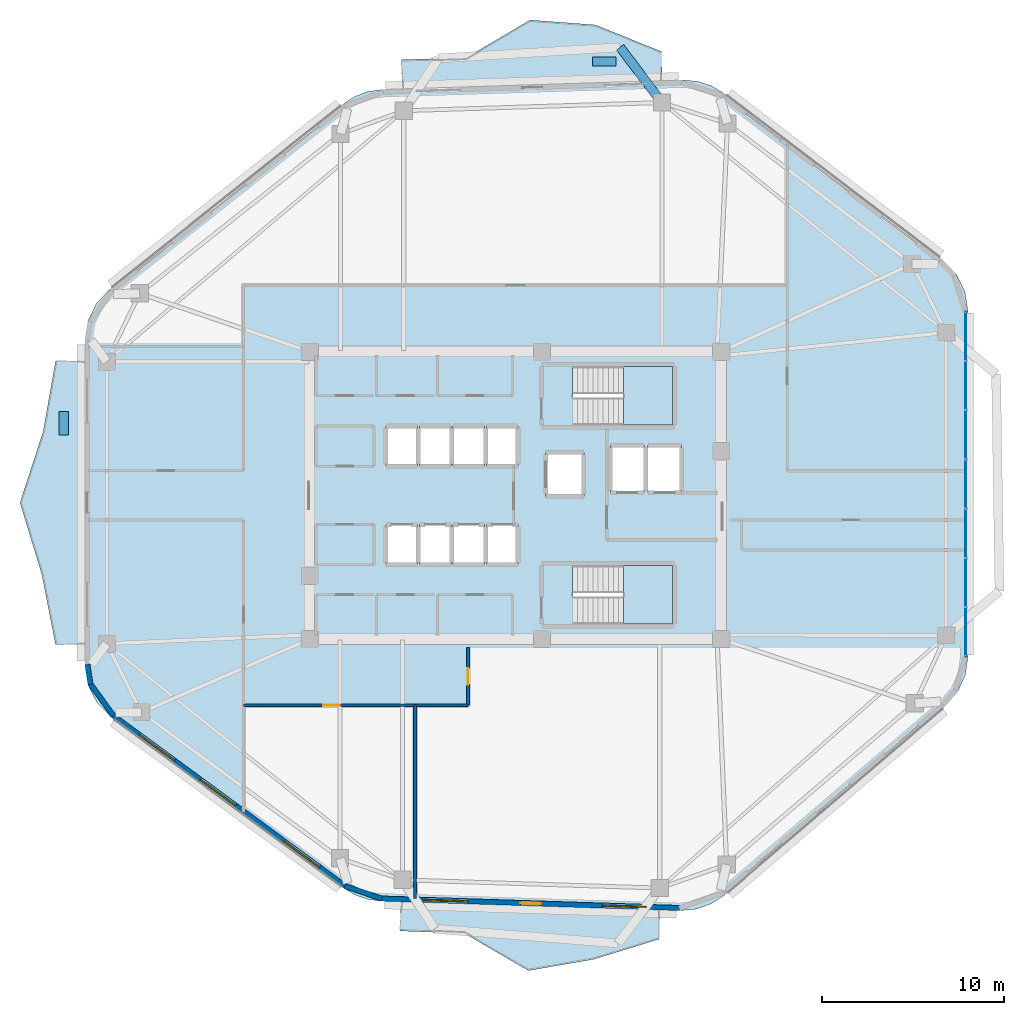
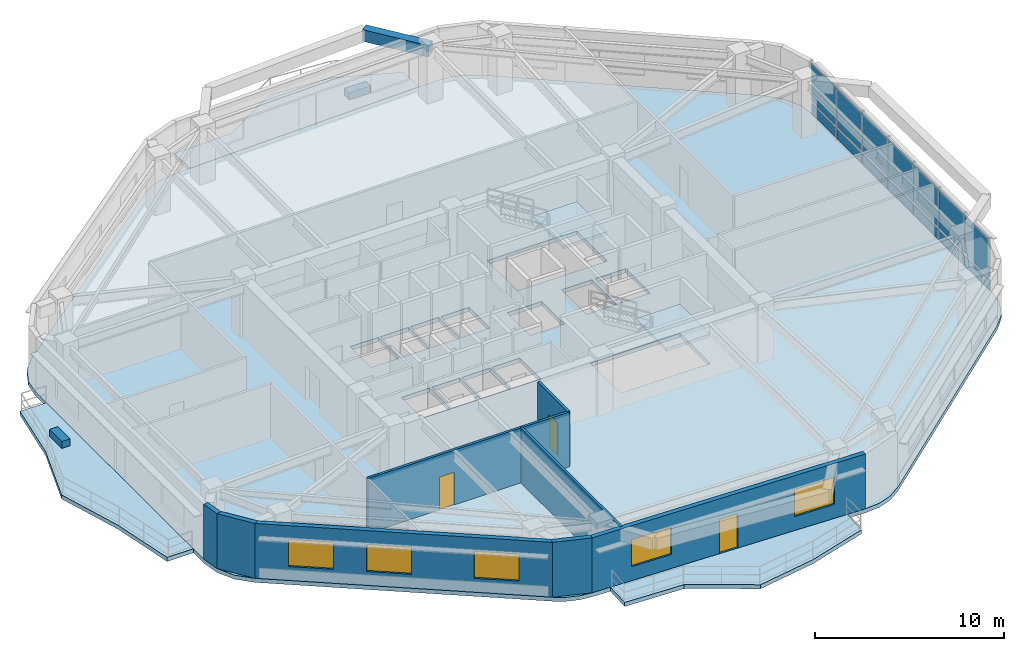
# One storey, part 7 of 14: 16 plates, 8 walls, 6 slabs, 5 windows, 3 doors, 1 beam, 8 openings, 3 elements without a shape of their own.
"""IFC4 building model written with IfcOpenShell, lengths in metres."""

from ifc_helpers import new_model, si_unit, direction, frame, frame_2d, origin, origin_2d, place, context, subcontext, project, spatial, polyline, rectangle, outline, extrude, material, layer, layer_set, material_profile, profile_set, type_object, element, fill, aggregate, save


model = new_model("IFC4")

# Units and contexts
model_context = context("Model", 3, precision=1e-05, world=origin(), true_north=direction((0.0, 1.0)))
body_context = subcontext(model_context, "Body", "Model", "MODEL_VIEW")
ifc_project = project(units=[si_unit("LENGTHUNIT", "METRE"), si_unit("AREAUNIT", "SQUARE_METRE"), si_unit("VOLUMEUNIT", "CUBIC_METRE"), si_unit("PLANEANGLEUNIT", "RADIAN"), si_unit("MASSUNIT", "GRAM", prefix="KILO")], contexts=[model_context])

# Site, building, storey
site_placement = place(None, origin())
site = spatial("IfcSite", under=ifc_project, at=site_placement, CompositionType="ELEMENT")
building_placement = place(site_placement, origin())
building = spatial("IfcBuilding", under=site, at=building_placement, Name="Zulverin Broadcast Headquarters", CompositionType="ELEMENT")
storey_placement = place(building_placement, frame((0.0, 0.0, 178.199951171875)))
storey = spatial("IfcBuildingStorey", under=building, at=storey_placement, Name="L45", CompositionType="ELEMENT", Elevation=178.199951171875)

# Beam
ifc_material_1 = material(Name="Concrete C40/50", Category="concrete")
ifc_material_profile = material_profile(ifc_material_1, rectangle(XDim=0.5, YDim=0.75, at=origin_2d()), Name="Concrete C40/50", Category="concrete")
ifc_profile_set = profile_set([ifc_material_profile], Name="Concrete C40/50")
beam_type = type_object("IfcBeamType", Name="BM-RC-500x750", PredefinedType="BEAM", material=ifc_profile_set)
beam_placement = place(storey_placement, frame((45.027587890625, 46.7236328125, 3.1650390625), z_axis=(-0.603735220489, 0.797184911762, 0.0), x_axis=(-0.797184911762, -0.603735220489, 0.0)))
element("IfcBeam", 1, at=beam_placement, inside=storey, type_object=beam_type, Name="L46 Balcony Column-Framed Cantilever BAL_N-1", PredefinedType="BEAM", context=body_context, shape_type="SweptSolid", body=[
    extrude(rectangle(XDim=0.5, YDim=0.75, at=origin_2d()), origin(), (0.0, 0.0, 1.0), 3.800048828125),
])

# Curtain wall, plates
ifc_material_2 = material(Name="Waist wind-pressure unitised curtain wall", Category="aluminium")
curtain_wall_type = type_object("IfcCurtainWallType", Name="CW-TWR-WST", PredefinedType="USERDEFINED", material=ifc_material_2)
curtain_wall_placement = place(storey_placement, origin())
curtain_wall = element("IfcCurtainWall", 2, at=curtain_wall_placement, inside=storey, type_object=curtain_wall_type, Name="L45 Unitised Curtain Wall CW-L45-E3", ObjectType="UNITISED CURTAIN WALL", PredefinedType="USERDEFINED")
ifc_material_3 = material(Name="Low-E double-glazed pale-silver vision glass", Category="glass")
ifc_layer_1 = layer(ifc_material_3, 0.035888671875, Name="Low-E double-glazed pale-silver vision glass", Category="glass")
ifc_layer_set_1 = layer_set([ifc_layer_1], Name="Low-E double-glazed pale-silver vision glass")
plate_type_1 = type_object("IfcPlateType", Name="CW-PNL-GLZ", PredefinedType="CURTAIN_PANEL", material=ifc_layer_set_1)
plate_1_placement = place(storey_placement, frame((61.679931640625, 17.719482421875, 0.914794921875), z_axis=(0.0, 0.0, 1.0), x_axis=(0.0, 1.0, 0.0)))
plate_1 = element("IfcPlate", 3, at=plate_1_placement, type_object=plate_type_1, Name="CW-L45-E3 Vision Panel 00", PredefinedType="CURTAIN_PANEL", context=body_context, shape_type="SweptSolid", body=[
    extrude(rectangle(XDim=2.660400390625, YDim=0.035888671875, at=origin_2d()), origin(), (0.0, 0.0, 1.0), 2.4853515625),
])
plate_2_placement = place(storey_placement, frame((61.679931640625, 20.419921875, 0.914794921875), z_axis=(0.0, 0.0, 1.0), x_axis=(0.0, 1.0, 0.0)))
plate_2 = element("IfcPlate", 4, at=plate_2_placement, type_object=plate_type_1, Name="CW-L45-E3 Vision Panel 01", PredefinedType="CURTAIN_PANEL", context=body_context, shape_type="SweptSolid", body=[
    extrude(rectangle(XDim=2.660400390625, YDim=0.035888671875, at=origin_2d()), origin(), (0.0, 0.0, 1.0), 2.4853515625),
])
plate_3_placement = place(storey_placement, frame((61.679931640625, 23.1201171875, 0.914794921875), z_axis=(0.0, 0.0, 1.0), x_axis=(0.0, 1.0, 0.0)))
plate_3 = element("IfcPlate", 5, at=plate_3_placement, type_object=plate_type_1, Name="CW-L45-E3 Vision Panel 02", PredefinedType="CURTAIN_PANEL", context=body_context, shape_type="SweptSolid", body=[
    extrude(rectangle(XDim=2.660400390625, YDim=0.035888671875, at=origin_2d()), origin(), (0.0, 0.0, 1.0), 2.4853515625),
])
plate_4_placement = place(storey_placement, frame((61.679931640625, 25.8203125, 0.914794921875), z_axis=(0.0, 0.0, 1.0), x_axis=(0.0, 1.0, 0.0)))
plate_4 = element("IfcPlate", 6, at=plate_4_placement, type_object=plate_type_1, Name="CW-L45-E3 Vision Panel 03", PredefinedType="CURTAIN_PANEL", context=body_context, shape_type="SweptSolid", body=[
    extrude(rectangle(XDim=2.660400390625, YDim=0.035888671875, at=origin_2d()), origin(), (0.0, 0.0, 1.0), 2.4853515625),
])
plate_5_placement = place(storey_placement, frame((61.679931640625, 28.520751953125, 0.914794921875), z_axis=(0.0, 0.0, 1.0), x_axis=(0.0, 1.0, 0.0)))
plate_5 = element("IfcPlate", 7, at=plate_5_placement, type_object=plate_type_1, Name="CW-L45-E3 Vision Panel 04", PredefinedType="CURTAIN_PANEL", context=body_context, shape_type="SweptSolid", body=[
    extrude(rectangle(XDim=2.660400390625, YDim=0.035888671875, at=origin_2d()), origin(), (0.0, 0.0, 1.0), 2.4853515625),
])
plate_6_placement = place(storey_placement, frame((61.679931640625, 31.220947265625, 0.914794921875), z_axis=(0.0, 0.0, 1.0), x_axis=(0.0, 1.0, 0.0)))
plate_6 = element("IfcPlate", 8, at=plate_6_placement, type_object=plate_type_1, Name="CW-L45-E3 Vision Panel 05", PredefinedType="CURTAIN_PANEL", context=body_context, shape_type="SweptSolid", body=[
    extrude(rectangle(XDim=2.660400390625, YDim=0.035888671875, at=origin_2d()), origin(), (0.0, 0.0, 1.0), 2.4853515625),
])
plate_7_placement = place(storey_placement, frame((61.679931640625, 33.92138671875, 0.914794921875), z_axis=(0.0, 0.0, 1.0), x_axis=(0.0, 1.0, 0.0)))
plate_7 = element("IfcPlate", 9, at=plate_7_placement, type_object=plate_type_1, Name="CW-L45-E3 Vision Panel 06", PredefinedType="CURTAIN_PANEL", context=body_context, shape_type="SweptSolid", body=[
    extrude(rectangle(XDim=2.660400390625, YDim=0.035888671875, at=origin_2d()), origin(), (0.0, 0.0, 1.0), 2.4853515625),
])
ifc_material_4 = material(Name="Insulated brushed pale-aluminium spandrel cassette", Category="aluminium")
ifc_layer_2 = layer(ifc_material_4, 0.050048828125, Name="Insulated brushed pale-aluminium spandrel cassette", Category="aluminium")
ifc_layer_set_2 = layer_set([ifc_layer_2], Name="Insulated brushed pale-aluminium spandrel cassette")
plate_type_2 = type_object("IfcPlateType", Name="CW-PNL-SPN", PredefinedType="CURTAIN_PANEL", material=ifc_layer_set_2)
plate_8_placement = place(storey_placement, frame((61.679931640625, 17.719482421875, 0.14013671875), z_axis=(0.0, 0.0, 1.0), x_axis=(0.0, 1.0, 0.0)))
plate_8 = element("IfcPlate", 10, at=plate_8_placement, type_object=plate_type_2, Name="CW-L45-E3 Spandrel Cassette 00", PredefinedType="CURTAIN_PANEL", context=body_context, shape_type="SweptSolid", body=[
    extrude(rectangle(XDim=2.660400390625, YDim=0.050048828125, at=origin_2d()), origin(), (0.0, 0.0, 1.0), 0.64453125),
])
plate_9_placement = place(storey_placement, frame((61.679931640625, 20.419921875, 0.14013671875), z_axis=(0.0, 0.0, 1.0), x_axis=(0.0, 1.0, 0.0)))
plate_9 = element("IfcPlate", 11, at=plate_9_placement, type_object=plate_type_2, Name="CW-L45-E3 Spandrel Cassette 01", PredefinedType="CURTAIN_PANEL", context=body_context, shape_type="SweptSolid", body=[
    extrude(rectangle(XDim=2.660400390625, YDim=0.050048828125, at=origin_2d()), origin(), (0.0, 0.0, 1.0), 0.64453125),
])
plate_10_placement = place(storey_placement, frame((61.679931640625, 23.1201171875, 0.14013671875), z_axis=(0.0, 0.0, 1.0), x_axis=(0.0, 1.0, 0.0)))
plate_10 = element("IfcPlate", 12, at=plate_10_placement, type_object=plate_type_2, Name="CW-L45-E3 Spandrel Cassette 02", PredefinedType="CURTAIN_PANEL", context=body_context, shape_type="SweptSolid", body=[
    extrude(rectangle(XDim=2.660400390625, YDim=0.050048828125, at=origin_2d()), origin(), (0.0, 0.0, 1.0), 0.64453125),
])
plate_11_placement = place(storey_placement, frame((61.679931640625, 25.8203125, 0.14013671875), z_axis=(0.0, 0.0, 1.0), x_axis=(0.0, 1.0, 0.0)))
plate_11 = element("IfcPlate", 13, at=plate_11_placement, type_object=plate_type_2, Name="CW-L45-E3 Spandrel Cassette 03", PredefinedType="CURTAIN_PANEL", context=body_context, shape_type="SweptSolid", body=[
    extrude(rectangle(XDim=2.660400390625, YDim=0.050048828125, at=origin_2d()), origin(), (0.0, 0.0, 1.0), 0.64453125),
])
plate_12_placement = place(storey_placement, frame((61.679931640625, 28.520751953125, 0.14013671875), z_axis=(0.0, 0.0, 1.0), x_axis=(0.0, 1.0, 0.0)))
plate_12 = element("IfcPlate", 14, at=plate_12_placement, type_object=plate_type_2, Name="CW-L45-E3 Spandrel Cassette 04", PredefinedType="CURTAIN_PANEL", context=body_context, shape_type="SweptSolid", body=[
    extrude(rectangle(XDim=2.660400390625, YDim=0.050048828125, at=origin_2d()), origin(), (0.0, 0.0, 1.0), 0.64453125),
])
plate_13_placement = place(storey_placement, frame((61.679931640625, 31.220947265625, 0.14013671875), z_axis=(0.0, 0.0, 1.0), x_axis=(0.0, 1.0, 0.0)))
plate_13 = element("IfcPlate", 15, at=plate_13_placement, type_object=plate_type_2, Name="CW-L45-E3 Spandrel Cassette 05", PredefinedType="CURTAIN_PANEL", context=body_context, shape_type="SweptSolid", body=[
    extrude(rectangle(XDim=2.660400390625, YDim=0.050048828125, at=origin_2d()), origin(), (0.0, 0.0, 1.0), 0.64453125),
])
plate_14_placement = place(storey_placement, frame((61.679931640625, 33.92138671875, 0.14013671875), z_axis=(0.0, 0.0, 1.0), x_axis=(0.0, 1.0, 0.0)))
plate_14 = element("IfcPlate", 16, at=plate_14_placement, type_object=plate_type_2, Name="CW-L45-E3 Spandrel Cassette 06", PredefinedType="CURTAIN_PANEL", context=body_context, shape_type="SweptSolid", body=[
    extrude(rectangle(XDim=2.660400390625, YDim=0.050048828125, at=origin_2d()), origin(), (0.0, 0.0, 1.0), 0.64453125),
])
aggregate(curtain_wall, [plate_8, plate_1, plate_9, plate_2, plate_10, plate_3, plate_11, plate_4, plate_12, plate_5, plate_13, plate_6, plate_14, plate_7])

# Plates
ifc_material_5 = material(Name="Precast concrete C45/55", Category="concrete")
ifc_layer_3 = layer(ifc_material_5, 0.449951171875, Name="Precast concrete C45/55", Category="concrete")
ifc_layer_set_3 = layer_set([ifc_layer_3], Name="Precast concrete C45/55")
plate_type_3 = type_object("IfcPlateType", Name="PT-01_PRECAST_GFRC_TREE_PLANTER", PredefinedType="USERDEFINED", material=ifc_layer_set_3)
for number, where, z_axis, x_axis, name in (
    (17, (41.869140625, 48.974609375, -0.0048828125), (0.0, 0.0, 1.0), (1.0, 0.0, 0.0), "L45 Precast GFRC Tree Planter BAL_N"),
    (18, (12.25, 29.15185546875, -0.0048828125), (0.0, 0.0, 1.0), (0.0, 1.0, 0.0), "L45 Precast GFRC Tree Planter BAL_W"),
):
    element("IfcPlate", number, at=place(storey_placement, frame(where, z_axis=z_axis, x_axis=x_axis)), inside=storey, type_object=plate_type_3, Name=name, ObjectType="PLANTER", PredefinedType="USERDEFINED", context=body_context, shape_type="SweptSolid", body=[
        extrude(rectangle(XDim=1.300048828125, YDim=0.5, at=origin_2d()), origin(), (0.0, 0.0, 1.0), 0.449951171875),
    ])

# Slabs
ifc_layer_4 = layer(ifc_material_1, 0.260009765625, Name="Concrete C40/50", Category="concrete")
ifc_layer_set_4 = layer_set([ifc_layer_4], Name="Concrete C40/50")
slab_type_1 = type_object("IfcSlabType", Name="SLB-BAL-260", PredefinedType="FLOOR", material=ifc_layer_set_4)
slab_1_placement = place(storey_placement, frame((0.0, 0.0, -0.260009765625)))
element("IfcSlab", 19, at=slab_1_placement, inside=storey, type_object=slab_type_1, Name="L45 Cantilevered Planted Balcony Slab BAL_N", PredefinedType="FLOOR", context=body_context, shape_type="SweptSolid", body=[
    extrude(outline(polyline([(30.794189453125, 47.47265625), (45.03955078125, 47.924560546875), (44.98876953125, 49.523681640625), (41.377685546875, 50.9794921875), (37.80419921875, 51.246826171875), (34.3046875, 49.184814453125), (30.743408203125, 49.072021484375), (30.794189453125, 47.47265625)])), origin(), (0.0, 0.0, 1.0), 0.260009765625),
])
slab_2_placement = place(storey_placement, frame((0.0, 0.0, -0.260009765625)))
element("IfcSlab", 20, at=slab_2_placement, inside=storey, type_object=slab_type_1, Name="L45 Cantilevered Planted Balcony Slab BAL_W", PredefinedType="FLOOR", context=body_context, shape_type="SweptSolid", body=[
    extrude(outline(polyline([(13.39990234375, 17.02197265625), (13.39990234375, 32.5732421875), (11.800048828125, 32.5732421875), (11.1171875, 28.685302734375), (9.85009765625, 24.797607421875), (11.032958984375, 20.90966796875), (11.800048828125, 17.02197265625), (13.39990234375, 17.02197265625)])), origin(), (0.0, 0.0, 1.0), 0.260009765625),
])
slab_3_placement = place(storey_placement, frame((0.0, 0.0, -0.260009765625)))
element("IfcSlab", 21, at=slab_3_placement, inside=storey, type_object=slab_type_1, Name="L45 Cantilevered Planted Balcony Slab BAL_S", PredefinedType="FLOOR", context=body_context, shape_type="SweptSolid", body=[
    extrude(outline(polyline([(44.921630859375, 2.479248046875), (30.720458984375, 2.9296875), (30.669921875, 1.33056640625), (34.218994140625, 1.186767578125), (37.70849609375, -0.84375), (41.281982421875, -0.224853515625), (44.87109375, 0.8798828125), (44.921630859375, 2.479248046875)])), origin(), (0.0, 0.0, 1.0), 0.260009765625),
])

# Stair, slab
stair_type = type_object("IfcStairType", Name="ST-CORE-1500", PredefinedType="HALF_TURN_STAIR", material=ifc_material_1)
stair_1_placement = place(storey_placement, origin())
stair_1 = element("IfcStair", 22, at=stair_1_placement, inside=storey, type_object=stair_type, Name="L45 Core Exit Stair ST-1", PredefinedType="HALF_TURN_STAIR")
ifc_layer_5 = layer(ifc_material_1, 0.199951171875, Name="Concrete C40/50", Category="concrete")
ifc_layer_set_5 = layer_set([ifc_layer_5], Name="Concrete C40/50")
slab_type_2 = type_object("IfcSlabType", Name="SLB-ST-LND200", PredefinedType="LANDING", material=ifc_layer_set_5)
slab_4_placement = place(storey_placement, frame((0.0, 0.0, 1.699951171875)))
slab_4 = element("IfcSlab", 23, at=slab_4_placement, type_object=slab_type_2, Name="ST-1 landing 1", PredefinedType="LANDING", context=body_context, shape_type="SweptSolid", body=[
    extrude(outline(polyline([(42.929931640625, 29.050048828125), (45.60009765625, 29.050048828125), (45.60009765625, 32.25), (42.929931640625, 32.25), (42.929931640625, 29.050048828125)])), origin(), (0.0, 0.0, 1.0), 0.2001953125),
])
aggregate(stair_1, [slab_4])

stair_2_placement = place(storey_placement, origin())
stair_2 = element("IfcStair", 24, at=stair_2_placement, inside=storey, type_object=stair_type, Name="L45 Core Exit Stair ST-2", PredefinedType="HALF_TURN_STAIR")
slab_5_placement = place(storey_placement, frame((0.0, 0.0, 1.699951171875)))
slab_5 = element("IfcSlab", 25, at=slab_5_placement, type_object=slab_type_2, Name="ST-2 landing 1", PredefinedType="LANDING", context=body_context, shape_type="SweptSolid", body=[
    extrude(outline(polyline([(42.929931640625, 18.14990234375), (45.60009765625, 18.14990234375), (45.60009765625, 21.35009765625), (42.929931640625, 21.35009765625), (42.929931640625, 18.14990234375)])), origin(), (0.0, 0.0, 1.0), 0.2001953125),
])
aggregate(stair_2, [slab_5])

# Slab
ifc_layer_6 = layer(ifc_material_1, 0.260009765625, Name="Concrete C40/50", Category="concrete")
ifc_layer_set_6 = layer_set([ifc_layer_6], Name="Concrete C40/50")
slab_type_3 = type_object("IfcSlabType", Name="SLB-TWR-260", PredefinedType="FLOOR", material=ifc_layer_set_6)
slab_6_placement = place(storey_placement, frame((0.0, 0.0, -0.260009765625)))
element("IfcSlab", 26, at=slab_6_placement, inside=storey, type_object=slab_type_3, Name="L45 Main Structural Floor Slab", PredefinedType="FLOOR", context=body_context, shape_type="SweptSolid", body=[
    extrude(outline(polyline([(27.603515625, 3.661865234375), (28.224365234375, 3.295166015625), (28.906005859375, 3.0595703125), (29.62109375, 2.964599609375), (46.02099609375, 2.4443359375), (46.902587890625, 2.525146484375), (47.738037109375, 2.81884765625), (48.476318359375, 3.3076171875), (60.541015625, 13.63427734375), (61.220703125, 14.41064453125), (61.652099609375, 15.34814453125), (61.800048828125, 16.369384765625), (61.800048828125, 35.271484375), (61.6318359375, 36.358642578125), (61.143310546875, 37.344482421875), (60.3798828125, 38.136474609375), (48.432861328125, 47.226318359375), (47.73095703125, 47.643798828125), (46.952880859375, 47.892578125), (46.138916015625, 47.95947265625), (29.694580078125, 47.437744140625), (28.9365234375, 47.332275390625), (28.2177734375, 47.06884765625), (27.57080078125, 46.659423828125), (14.761962890625, 36.492919921875), (14.02880859375, 35.705810546875), (13.560791015625, 34.737060546875), (13.39990234375, 33.673095703125), (13.39990234375, 15.921875), (13.57421875, 14.815673828125), (14.079833984375, 13.81640625), (14.8681640625, 13.02099609375), (27.603515625, 3.661865234375)]), holes=[polyline([(40.155029296875, 30.75), (40.130126953125, 30.75), (40.130126953125, 32.25), (45.60009765625, 32.25), (45.60009765625, 29.050048828125), (40.155029296875, 29.050048828125), (40.155029296875, 30.75)]), polyline([(40.155029296875, 19.85009765625), (40.130126953125, 19.85009765625), (40.130126953125, 21.35009765625), (45.60009765625, 21.35009765625), (45.60009765625, 18.14990234375), (40.155029296875, 18.14990234375), (40.155029296875, 19.85009765625)]), polyline([(29.89990234375, 21.39990234375), (31.6201171875, 21.39990234375), (31.6201171875, 23.60009765625), (29.89990234375, 23.60009765625), (29.89990234375, 21.39990234375)]), polyline([(31.739990234375, 21.39990234375), (33.4599609375, 21.39990234375), (33.4599609375, 23.60009765625), (31.739990234375, 23.60009765625), (31.739990234375, 21.39990234375)]), polyline([(33.580078125, 21.39990234375), (35.300048828125, 21.39990234375), (35.300048828125, 23.60009765625), (33.580078125, 23.60009765625), (33.580078125, 21.39990234375)]), polyline([(35.419921875, 21.39990234375), (37.139892578125, 21.39990234375), (37.139892578125, 23.60009765625), (35.419921875, 23.60009765625), (35.419921875, 21.39990234375)]), polyline([(29.89990234375, 26.800048828125), (31.6201171875, 26.800048828125), (31.6201171875, 29.0), (29.89990234375, 29.0), (29.89990234375, 26.800048828125)]), polyline([(31.739990234375, 26.800048828125), (33.4599609375, 26.800048828125), (33.4599609375, 29.0), (31.739990234375, 29.0), (31.739990234375, 26.800048828125)]), polyline([(33.580078125, 26.800048828125), (35.300048828125, 26.800048828125), (35.300048828125, 29.0), (33.580078125, 29.0), (33.580078125, 26.800048828125)]), polyline([(35.419921875, 26.800048828125), (37.139892578125, 26.800048828125), (37.139892578125, 29.0), (35.419921875, 29.0), (35.419921875, 26.800048828125)]), polyline([(42.199951171875, 25.35009765625), (44.050048828125, 25.35009765625), (44.050048828125, 27.949951171875), (42.199951171875, 27.949951171875), (42.199951171875, 25.35009765625)]), polyline([(44.25, 25.35009765625), (46.10009765625, 25.35009765625), (46.10009765625, 27.949951171875), (44.25, 27.949951171875), (44.25, 25.35009765625)]), polyline([(38.64990234375, 25.14990234375), (40.75, 25.14990234375), (40.75, 27.550048828125), (38.64990234375, 27.550048828125), (38.64990234375, 25.14990234375)])]), origin(), (0.0, 0.0, 1.0), 0.260009765625),
])

# Wall, openings, door, windows
ifc_material_6 = material(Name="Insulated pale-metal clad concrete spandrel C40/50", Category="concrete")
ifc_layer_7 = layer(ifc_material_6, 0.280029296875, Name="Insulated pale-metal clad concrete spandrel C40/50", Category="concrete")
ifc_layer_set_7 = layer_set([ifc_layer_7], Name="Insulated pale-metal clad concrete spandrel C40/50")
wall_type_1 = type_object("IfcWallType", Name="WL-EXT-280", PredefinedType="STANDARD", material=ifc_layer_set_7)
wall_1_placement = place(storey_placement, frame((29.62548828125, 3.1044921875, 0.0), z_axis=(0.0, 0.0, 1.0), x_axis=(0.99949718661, -0.031707632487, 0.0)))
wall_1 = element("IfcWall", 27, at=wall_1_placement, inside=storey, type_object=wall_type_1, Name="L45 Pale-Metal Clad Spandrel Wall 1", PredefinedType="STANDARD", context=body_context, shape_type="SweptSolid", body=[
    extrude(rectangle(XDim=16.408203125, YDim=0.280029296875, at=frame_2d((8.2041015625, 0.0))), origin(), (0.0, 0.0, 1.0), 3.5400390625),
])
opening_1_placement = place(wall_1_placement, frame((7.654052734375, 0.0, 0.0)))
opening_1 = element("IfcOpeningElement", 28, at=opening_1_placement, cuts=wall_1, Name="Opening D-L45-TR1", PredefinedType="OPENING", context=body_context, shape_type="SweptSolid", body=[
    extrude(rectangle(XDim=1.10009765625, YDim=2.199951171875, at=frame_2d((0.550048828125, 1.10009765625))), frame((0.0, 0.14990234375, 0.0), z_axis=(0.0, -1.0, 0.0), x_axis=(1.0, 0.0, 0.0)), (0.0, 0.0, 1.0), 0.300048828125),
])
opening_2_placement = place(wall_1_placement, frame((2.367919921875, 0.0, 0.89990234375)))
opening_2 = element("IfcOpeningElement", 29, at=opening_2_placement, cuts=wall_1, Name="Opening W-L45-E11", PredefinedType="OPENING", context=body_context, shape_type="SweptSolid", body=[
    extrude(rectangle(XDim=2.39990234375, YDim=1.75, at=frame_2d((1.199951171875, 0.875))), frame((0.0, 0.14990234375, 0.0), z_axis=(0.0, -1.0, 0.0), x_axis=(1.0, 0.0, 0.0)), (0.0, 0.0, 1.0), 0.300048828125),
])
opening_3_placement = place(wall_1_placement, frame((12.14013671875, 0.0, 0.89990234375)))
opening_3 = element("IfcOpeningElement", 30, at=opening_3_placement, cuts=wall_1, Name="Opening W-L45-E12", PredefinedType="OPENING", context=body_context, shape_type="SweptSolid", body=[
    extrude(rectangle(XDim=2.39990234375, YDim=1.75, at=frame_2d((1.199951171875, 0.875))), frame((0.0, 0.14990234375, 0.0), z_axis=(0.0, -1.0, 0.0), x_axis=(1.0, 0.0, 0.0)), (0.0, 0.0, 1.0), 0.300048828125),
])
ifc_material_7 = material(Name="Thermally broken aluminium glazed", Category="aluminium")
door_type_1 = type_object("IfcDoorType", Name="DR-TERR-1100", OperationType="SINGLE_SWING_RIGHT", PredefinedType="DOOR", material=ifc_material_7)
door_1_placement = place(opening_1_placement, origin())
door_1 = element("IfcDoor", 31, at=door_1_placement, inside=storey, type_object=door_type_1, Name="L45 Planted Terrace Glazed Access Door 1", OperationType="SINGLE_SWING_RIGHT", OverallHeight=2.199951171875, OverallWidth=1.10009765625, PredefinedType="DOOR", context=body_context, shape_type="SweptSolid", body=[
    extrude(rectangle(XDim=1.10009765625, YDim=2.199951171875, at=frame_2d((0.550048828125, 1.10009765625))), frame((0.0, 0.02490234375, 0.0), z_axis=(0.0, -1.0, 0.0), x_axis=(1.0, 0.0, 0.0)), (0.0, 0.0, 1.0), 0.050048828125),
])
fill(opening_1, door_1)
ifc_material_8 = material(Name="Pale anodized aluminium frame with solar-control low-E double glazing", Category="aluminium")
window_type = type_object("IfcWindowType", Name="WIN-RIB-2400", PartitioningType="SINGLE_PANEL", PredefinedType="WINDOW", material=ifc_material_8)
window_1_placement = place(opening_2_placement, origin())
window_1 = element("IfcWindow", 32, at=window_1_placement, inside=storey, type_object=window_type, Name="L45 Ribbon Glazing Window 1 1", OverallHeight=1.75, OverallWidth=2.39990234375, PartitioningType="SINGLE_PANEL", PredefinedType="WINDOW", context=body_context, shape_type="SweptSolid", body=[
    extrude(rectangle(XDim=2.39990234375, YDim=1.75, at=frame_2d((1.199951171875, 0.875))), frame((0.0, 0.030029296875, 0.0), z_axis=(0.0, -1.0, 0.0), x_axis=(1.0, 0.0, 0.0)), (0.0, 0.0, 1.0), 0.06005859375),
])
fill(opening_2, window_1)
window_2_placement = place(opening_3_placement, origin())
window_2 = element("IfcWindow", 33, at=window_2_placement, inside=storey, type_object=window_type, Name="L45 Ribbon Glazing Window 1 2", OverallHeight=1.75, OverallWidth=2.39990234375, PartitioningType="SINGLE_PANEL", PredefinedType="WINDOW", context=body_context, shape_type="SweptSolid", body=[
    extrude(rectangle(XDim=2.39990234375, YDim=1.75, at=frame_2d((1.199951171875, 0.875))), frame((0.0, 0.030029296875, 0.0), z_axis=(0.0, -1.0, 0.0), x_axis=(1.0, 0.0, 0.0)), (0.0, 0.0, 1.0), 0.06005859375),
])
fill(opening_3, window_2)

# Wall, openings, windows
wall_2_placement = place(storey_placement, frame((14.950927734375, 13.1337890625, 0.0), z_axis=(0.0, 0.0, 1.0), x_axis=(0.805804940328, -0.592181051827, 0.0)))
wall_2 = element("IfcWall", 34, at=wall_2_placement, inside=storey, type_object=wall_type_1, Name="L45 Pale-Metal Clad Spandrel Wall 8", PredefinedType="STANDARD", context=body_context, shape_type="SweptSolid", body=[
    extrude(rectangle(XDim=15.804443359375, YDim=0.280029296875, at=frame_2d((7.90234375, 0.0))), origin(), (0.0, 0.0, 1.0), 3.5400390625),
])
opening_4_placement = place(wall_2_placement, frame((1.767333984375, 0.0, 0.89990234375)))
opening_4 = element("IfcOpeningElement", 35, at=opening_4_placement, cuts=wall_2, Name="Opening W-L45-E81", PredefinedType="OPENING", context=body_context, shape_type="SweptSolid", body=[
    extrude(rectangle(XDim=2.39990234375, YDim=1.75, at=frame_2d((1.199951171875, 0.875))), frame((0.0, 0.14990234375, 0.0), z_axis=(0.0, -1.0, 0.0), x_axis=(1.0, 0.0, 0.0)), (0.0, 0.0, 1.0), 0.300048828125),
])
opening_5_placement = place(wall_2_placement, frame((5.92236328125, 0.0, 0.89990234375)))
opening_5 = element("IfcOpeningElement", 36, at=opening_5_placement, cuts=wall_2, Name="Opening W-L45-E82", PredefinedType="OPENING", context=body_context, shape_type="SweptSolid", body=[
    extrude(rectangle(XDim=2.39990234375, YDim=1.75, at=frame_2d((1.199951171875, 0.875))), frame((0.0, 0.14990234375, 0.0), z_axis=(0.0, -1.0, 0.0), x_axis=(1.0, 0.0, 0.0)), (0.0, 0.0, 1.0), 0.300048828125),
])
opening_6_placement = place(wall_2_placement, frame((11.63720703125, 0.0, 0.89990234375)))
opening_6 = element("IfcOpeningElement", 37, at=opening_6_placement, cuts=wall_2, Name="Opening W-L45-E83", PredefinedType="OPENING", context=body_context, shape_type="SweptSolid", body=[
    extrude(rectangle(XDim=2.39990234375, YDim=1.75, at=frame_2d((1.199951171875, 0.875))), frame((0.0, 0.14990234375, 0.0), z_axis=(0.0, -1.0, 0.0), x_axis=(1.0, 0.0, 0.0)), (0.0, 0.0, 1.0), 0.300048828125),
])
window_3_placement = place(opening_4_placement, origin())
window_3 = element("IfcWindow", 38, at=window_3_placement, inside=storey, type_object=window_type, Name="L45 Ribbon Glazing Window 8 1", OverallHeight=1.75, OverallWidth=2.39990234375, PartitioningType="SINGLE_PANEL", PredefinedType="WINDOW", context=body_context, shape_type="SweptSolid", body=[
    extrude(rectangle(XDim=2.39990234375, YDim=1.75, at=frame_2d((1.199951171875, 0.875))), frame((0.0, 0.030029296875, 0.0), z_axis=(0.0, -1.0, 0.0), x_axis=(1.0, 0.0, 0.0)), (0.0, 0.0, 1.0), 0.06005859375),
])
fill(opening_4, window_3)
window_4_placement = place(opening_5_placement, origin())
window_4 = element("IfcWindow", 39, at=window_4_placement, inside=storey, type_object=window_type, Name="L45 Ribbon Glazing Window 8 2", OverallHeight=1.75, OverallWidth=2.39990234375, PartitioningType="SINGLE_PANEL", PredefinedType="WINDOW", context=body_context, shape_type="SweptSolid", body=[
    extrude(rectangle(XDim=2.39990234375, YDim=1.75, at=frame_2d((1.199951171875, 0.875))), frame((0.0, 0.030029296875, 0.0), z_axis=(0.0, -1.0, 0.0), x_axis=(1.0, 0.0, 0.0)), (0.0, 0.0, 1.0), 0.06005859375),
])
fill(opening_5, window_4)
window_5_placement = place(opening_6_placement, origin())
window_5 = element("IfcWindow", 40, at=window_5_placement, inside=storey, type_object=window_type, Name="L45 Ribbon Glazing Window 8 3", OverallHeight=1.75, OverallWidth=2.39990234375, PartitioningType="SINGLE_PANEL", PredefinedType="WINDOW", context=body_context, shape_type="SweptSolid", body=[
    extrude(rectangle(XDim=2.39990234375, YDim=1.75, at=frame_2d((1.199951171875, 0.875))), frame((0.0, 0.030029296875, 0.0), z_axis=(0.0, -1.0, 0.0), x_axis=(1.0, 0.0, 0.0)), (0.0, 0.0, 1.0), 0.06005859375),
])
fill(opening_6, window_5)

# Walls
wall_3_placement = place(storey_placement, frame((13.538330078125, 15.943603515625, 0.0), z_axis=(0.0, 0.0, 1.0), x_axis=(0.155447556013, -0.987844146275, 0.0)))
element("IfcWall", 41, at=wall_3_placement, inside=storey, type_object=wall_type_1, Name="L45 Wind-Shaped Corner Spandrel Wall 7-1", PredefinedType="STANDARD", context=body_context, shape_type="SweptSolid", body=[
    extrude(rectangle(XDim=1.119873046875, YDim=0.280029296875, at=frame_2d((0.56005859375, 0.0))), origin(), (0.0, 0.0, 1.0), 3.5400390625),
])
wall_4_placement = place(storey_placement, frame((13.687744140625, 14.897705078125, 0.0), z_axis=(0.0, 0.0, 1.0), x_axis=(0.584833657716, -0.811153248655, 0.0)))
element("IfcWall", 42, at=wall_4_placement, inside=storey, type_object=wall_type_1, Name="L45 Wind-Shaped Corner Spandrel Wall 7-2", PredefinedType="STANDARD", context=body_context, shape_type="SweptSolid", body=[
    extrude(rectangle(XDim=2.21240234375, YDim=0.280029296875, at=frame_2d((1.106201171875, 0.0))), origin(), (0.0, 0.0, 1.0), 3.5400390625),
])
wall_5_placement = place(storey_placement, frame((27.649169921875, 3.794189453125, 0.0), z_axis=(0.0, 0.0, 1.0), x_axis=(0.945149124969, -0.326639145802, 0.0)))
element("IfcWall", 43, at=wall_5_placement, inside=storey, type_object=wall_type_1, Name="L45 Wind-Shaped Corner Spandrel Wall 8-1", PredefinedType="STANDARD", context=body_context, shape_type="SweptSolid", body=[
    extrude(rectangle(XDim=2.134765625, YDim=0.280029296875, at=frame_2d((1.0673828125, 0.0))), origin(), (0.0, 0.0, 1.0), 3.5400390625),
])

# Wall, opening, door
ifc_material_9 = material(Name="Fire-rated gypsum stud partition", Category="gypsum")
ifc_layer_8 = layer(ifc_material_9, 0.14990234375, Name="Fire-rated gypsum stud partition", Category="gypsum")
ifc_layer_set_8 = layer_set([ifc_layer_8], Name="Fire-rated gypsum stud partition")
wall_type_2 = type_object("IfcWallType", Name="WL-PART-150", PredefinedType="PARTITIONING", material=ifc_layer_set_8)
wall_6_placement = place(storey_placement, frame((34.39990234375, 13.699951171875, 0.0), z_axis=(0.0, 0.0, 1.0), x_axis=(0.0, 1.0, 0.0)))
wall_6 = element("IfcWall", 44, at=wall_6_placement, inside=storey, type_object=wall_type_2, Name="L45 Gallery Partition Wall CG-03", PredefinedType="PARTITIONING", context=body_context, shape_type="SweptSolid", body=[
    extrude(rectangle(XDim=3.16015625, YDim=0.14990234375, at=frame_2d((1.580078125, 0.0))), origin(), (0.0, 0.0, 1.0), 3.5400390625),
])
opening_7_placement = place(wall_6_placement, frame((1.1298828125, 0.0, 0.0)))
opening_7 = element("IfcOpeningElement", 45, at=opening_7_placement, cuts=wall_6, Name="Opening D-L45-03", PredefinedType="OPENING", context=body_context, shape_type="SweptSolid", body=[
    extrude(rectangle(XDim=0.89990234375, YDim=2.10009765625, at=frame_2d((0.449951171875, 1.050048828125))), frame((0.0, 0.0849609375, 0.0), z_axis=(0.0, -1.0, 0.0), x_axis=(1.0, 0.0, 0.0)), (0.0, 0.0, 1.0), 0.169921875),
])
ifc_material_10 = material(Name="Fire-rated hardwood veneer timber leaf", Category="wood")
door_type_2 = type_object("IfcDoorType", Name="DR-ROOM-900", OperationType="SINGLE_SWING_RIGHT", PredefinedType="DOOR", material=ifc_material_10)
door_2_placement = place(opening_7_placement, origin())
door_2 = element("IfcDoor", 46, at=door_2_placement, inside=storey, type_object=door_type_2, Name="L45 Briefing Room Door", OperationType="SINGLE_SWING_RIGHT", OverallHeight=2.10009765625, OverallWidth=0.89990234375, PredefinedType="DOOR", context=body_context, shape_type="SweptSolid", body=[
    extrude(rectangle(XDim=0.89990234375, YDim=2.10009765625, at=frame_2d((0.449951171875, 1.050048828125))), frame((0.0, 0.02490234375, 0.0), z_axis=(0.0, -1.0, 0.0), x_axis=(1.0, 0.0, 0.0)), (0.0, 0.0, 1.0), 0.050048828125),
])
fill(opening_7, door_2)

# Wall
wall_7_placement = place(storey_placement, frame((31.5, 3.110107421875, 0.0), z_axis=(0.0, 0.0, 1.0), x_axis=(0.0, 1.0, 0.0)))
element("IfcWall", 47, at=wall_7_placement, inside=storey, type_object=wall_type_2, Name="L45 Room Partition Wall RP-04", PredefinedType="PARTITIONING", context=body_context, shape_type="SweptSolid", body=[
    extrude(rectangle(XDim=10.58984375, YDim=0.14990234375, at=frame_2d((5.294921875, 0.0))), origin(), (0.0, 0.0, 1.0), 3.5400390625),
])

# Wall, opening, door
wall_8_placement = place(storey_placement, frame((22.10009765625, 13.699951171875, 0.0), z_axis=(0.0, 0.0, 1.0), x_axis=(1.0, 0.0, 0.0)))
wall_8 = element("IfcWall", 48, at=wall_8_placement, inside=storey, type_object=wall_type_2, Name="L45 Gallery Partition Wall CG-07", PredefinedType="PARTITIONING", context=body_context, shape_type="SweptSolid", body=[
    extrude(rectangle(XDim=12.2998046875, YDim=0.14990234375, at=frame_2d((6.14990234375, 0.0))), origin(), (0.0, 0.0, 1.0), 3.5400390625),
])
opening_8_placement = place(wall_8_placement, frame((4.3701171875, 0.0, 0.0)))
opening_8 = element("IfcOpeningElement", 49, at=opening_8_placement, cuts=wall_8, Name="Opening D-L45-02", PredefinedType="OPENING", context=body_context, shape_type="SweptSolid", body=[
    extrude(rectangle(XDim=0.89990234375, YDim=2.10009765625, at=frame_2d((0.449951171875, 1.050048828125))), frame((0.0, 0.0849609375, 0.0), z_axis=(0.0, -1.0, 0.0), x_axis=(1.0, 0.0, 0.0)), (0.0, 0.0, 1.0), 0.169921875),
])
door_3_placement = place(opening_8_placement, origin())
door_3 = element("IfcDoor", 50, at=door_3_placement, inside=storey, type_object=door_type_2, Name="L45 Project Meeting Room Door", OperationType="SINGLE_SWING_LEFT", OverallHeight=2.10009765625, OverallWidth=0.89990234375, PredefinedType="DOOR", context=body_context, shape_type="SweptSolid", body=[
    extrude(rectangle(XDim=0.89990234375, YDim=2.10009765625, at=frame_2d((0.449951171875, 1.050048828125))), frame((0.0, 0.02490234375, 0.0), z_axis=(0.0, -1.0, 0.0), x_axis=(1.0, 0.0, 0.0)), (0.0, 0.0, 1.0), 0.050048828125),
])
fill(opening_8, door_3)

save(model, "model.ifc")
